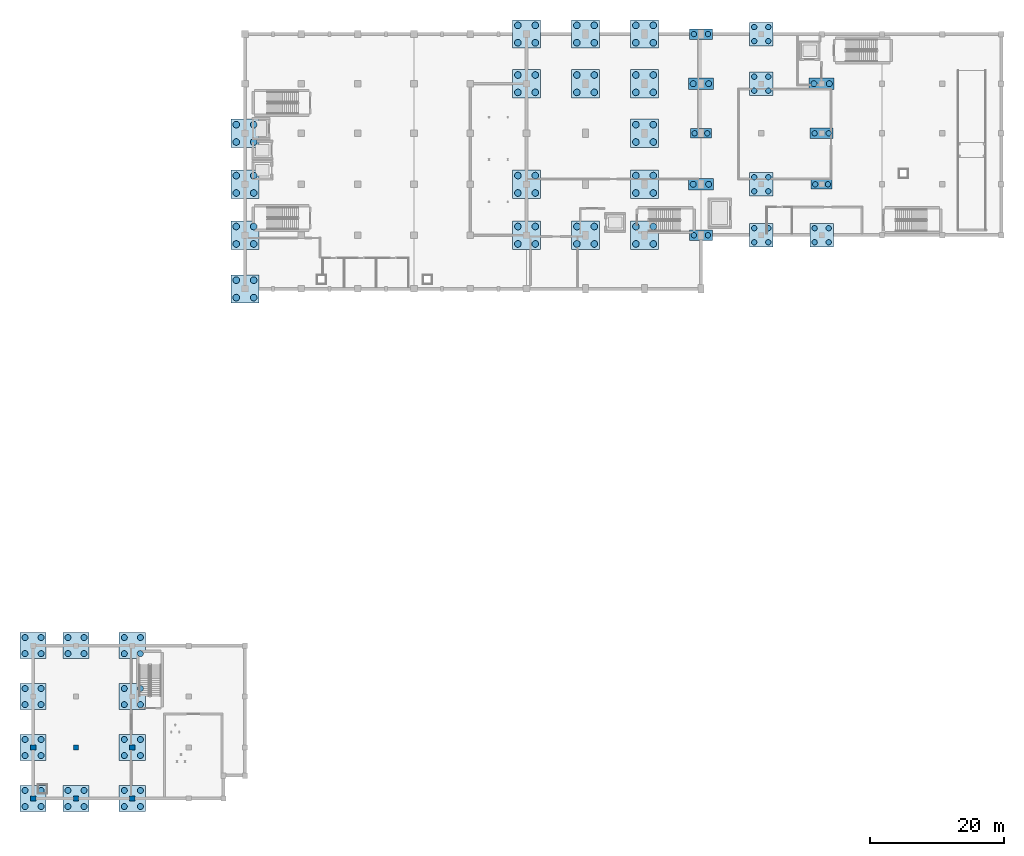
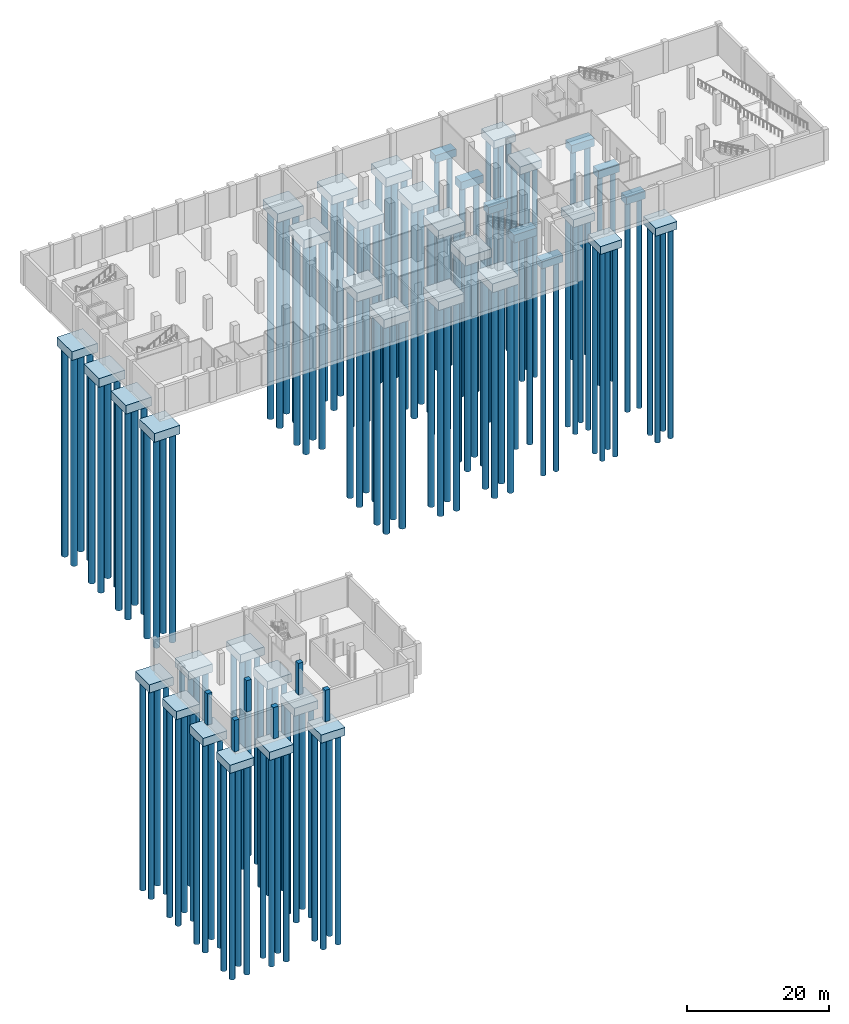
# One storey, part 1 of 20: 140 piles, 39 footings, 6 columns.
"""IFC4 building model written with IfcOpenShell, lengths in metres."""

from ifc_helpers import new_model, si_unit, direction, frame, origin, origin_2d, place, context, subcontext, project, spatial, rectangle, circle, extrude, material, material_profile, profile_set, type_object, element, save


model = new_model("IFC4")

# Units and contexts
model_context = context("Model", 3, precision=1e-05, world=origin(), true_north=direction((0.0, 1.0)))
body_context = subcontext(model_context, "Body", "Model", "MODEL_VIEW")
ifc_project = project(units=[si_unit("LENGTHUNIT", "METRE"), si_unit("AREAUNIT", "SQUARE_METRE"), si_unit("VOLUMEUNIT", "CUBIC_METRE"), si_unit("PLANEANGLEUNIT", "RADIAN"), si_unit("MASSUNIT", "GRAM", prefix="KILO")], contexts=[model_context])

# Site, building, storey
site_placement = place(None, origin())
site = spatial("IfcSite", under=ifc_project, at=site_placement, CompositionType="ELEMENT")
building_placement = place(site_placement, origin())
building = spatial("IfcBuilding", under=site, at=building_placement, Name="Shengluoqiao Park Theatre", CompositionType="ELEMENT")
storey_placement = place(building_placement, frame((0.0, 0.0, -5.39990234375)))
storey = spatial("IfcBuildingStorey", under=building, at=storey_placement, Name="B1", CompositionType="ELEMENT", Elevation=-5.39990234375)

# Footings
ifc_material_1 = material(Name="Concrete C40", Category="concrete")
footing_type_1 = type_object("IfcFootingType", Name="STR-PC2-3100", PredefinedType="PILE_CAP", material=ifc_material_1)
for number, where, z_axis, x_axis, name in (
    (1, (112.39990234375, 99.199951171875, -2.050048828125), (0.0, 0.0, 1.0), (1.0, 0.0, 0.0), "Pile Cap PC2-003"),
    (2, (130.39990234375, 91.60009765625, -2.050048828125), (0.0, 0.0, 1.0), (1.0, 0.0, 0.0), "Pile Cap PC2-006"),
):
    element("IfcFooting", number, at=place(storey_placement, frame(where, z_axis=z_axis, x_axis=x_axis)), inside=storey, type_object=footing_type_1, Name=name, PredefinedType="PILE_CAP", context=body_context, shape_type="SweptSolid", body=[
        extrude(rectangle(XDim=3.10009765625, YDim=1.449951171875, at=origin_2d()), origin(), (0.0, 0.0, 1.0), 1.25),
    ])
footing_type_2 = type_object("IfcFootingType", Name="STR-PC2-3400", PredefinedType="PILE_CAP", material=ifc_material_1)
for number, where, z_axis, x_axis, name in (
    (3, (112.39990234375, 84.0, -2.10009765625), (0.0, 0.0, 1.0), (1.0, 0.0, 0.0), "Pile Cap PC2-001"),
    (4, (112.39990234375, 114.0, -2.10009765625), (0.0, 0.0, 1.0), (1.0, 0.0, 0.0), "Pile Cap PC2-005"),
    (5, (130.39990234375, 99.199951171875, -2.10009765625), (0.0, 0.0, 1.0), (1.0, 0.0, 0.0), "Pile Cap PC2-007"),
):
    element("IfcFooting", number, at=place(storey_placement, frame(where, z_axis=z_axis, x_axis=x_axis)), inside=storey, type_object=footing_type_2, Name=name, PredefinedType="PILE_CAP", context=body_context, shape_type="SweptSolid", body=[
        extrude(rectangle(XDim=3.39990234375, YDim=1.550048828125, at=origin_2d()), origin(), (0.0, 0.0, 1.0), 1.300048828125),
    ])
footing_type_3 = type_object("IfcFootingType", Name="STR-PC2-3700", PredefinedType="PILE_CAP", material=ifc_material_1)
for number, where, z_axis, x_axis, name in (
    (6, (112.39990234375, 91.60009765625, -2.150146484375), (0.0, 0.0, 1.0), (1.0, 0.0, 0.0), "Pile Cap PC2-002"),
    (7, (112.39990234375, 106.60009765625, -2.150146484375), (0.0, 0.0, 1.0), (1.0, 0.0, 0.0), "Pile Cap PC2-004"),
    (8, (130.39990234375, 106.60009765625, -2.150146484375), (0.0, 0.0, 1.0), (1.0, 0.0, 0.0), "Pile Cap PC2-008"),
):
    element("IfcFooting", number, at=place(storey_placement, frame(where, z_axis=z_axis, x_axis=x_axis)), inside=storey, type_object=footing_type_3, Name=name, PredefinedType="PILE_CAP", context=body_context, shape_type="SweptSolid", body=[
        extrude(rectangle(XDim=3.699951171875, YDim=1.699951171875, at=origin_2d()), origin(), (0.0, 0.0, 1.0), 1.35009765625),
    ])
footing_type_4 = type_object("IfcFootingType", Name="STR-PC4-3500", PredefinedType="PILE_CAP", material=ifc_material_1)
for number, where, z_axis, x_axis, name in (
    (9, (121.39990234375, 84.0, -2.150146484375), (0.0, 0.0, 1.0), (1.0, 0.0, 0.0), "Pile Cap PC4-036"),
    (10, (121.39990234375, 91.60009765625, -2.150146484375), (0.0, 0.0, 1.0), (1.0, 0.0, 0.0), "Pile Cap PC4-037"),
    (11, (121.39990234375, 106.60009765625, -2.150146484375), (0.0, 0.0, 1.0), (1.0, 0.0, 0.0), "Pile Cap PC4-038"),
    (12, (121.39990234375, 114.0, -2.150146484375), (0.0, 0.0, 1.0), (1.0, 0.0, 0.0), "Pile Cap PC4-039"),
    (13, (130.39990234375, 84.0, -2.150146484375), (0.0, 0.0, 1.0), (1.0, 0.0, 0.0), "Pile Cap PC4-040"),
):
    element("IfcFooting", number, at=place(storey_placement, frame(where, z_axis=z_axis, x_axis=x_axis)), inside=storey, type_object=footing_type_4, Name=name, PredefinedType="PILE_CAP", context=body_context, shape_type="SweptSolid", body=[
        extrude(rectangle(XDim=3.5, YDim=3.5, at=origin_2d()), origin(), (0.0, 0.0, 1.0), 1.35009765625),
    ])
footing_type_5 = type_object("IfcFootingType", Name="STR-PC4-3900", PredefinedType="PILE_CAP", material=ifc_material_1)
for number, where, z_axis, x_axis, name in (
    (14, (12.800048828125, 0.0, -2.199951171875), (0.0, 0.0, 1.0), (1.0, 0.0, 0.0), "Pile Cap PC4-026"),
    (15, (12.800048828125, 7.60009765625, -2.199951171875), (0.0, 0.0, 1.0), (1.0, 0.0, 0.0), "Pile Cap PC4-027"),
    (16, (12.800048828125, 15.199951171875, -2.199951171875), (0.0, 0.0, 1.0), (1.0, 0.0, 0.0), "Pile Cap PC4-028"),
    (17, (12.800048828125, 22.800048828125, -2.199951171875), (0.0, 0.0, 1.0), (1.0, 0.0, 0.0), "Pile Cap PC4-029"),
    (18, (19.199951171875, 0.0, -2.199951171875), (0.0, 0.0, 1.0), (1.0, 0.0, 0.0), "Pile Cap PC4-030"),
    (19, (19.199951171875, 22.800048828125, -2.199951171875), (0.0, 0.0, 1.0), (1.0, 0.0, 0.0), "Pile Cap PC4-031"),
    (20, (27.60009765625, 0.0, -2.199951171875), (0.0, 0.0, 1.0), (1.0, 0.0, 0.0), "Pile Cap PC4-032"),
    (21, (27.60009765625, 7.60009765625, -2.199951171875), (0.0, 0.0, 1.0), (1.0, 0.0, 0.0), "Pile Cap PC4-033"),
    (22, (27.60009765625, 15.199951171875, -2.199951171875), (0.0, 0.0, 1.0), (1.0, 0.0, 0.0), "Pile Cap PC4-034"),
    (23, (27.60009765625, 22.800048828125, -2.199951171875), (0.0, 0.0, 1.0), (1.0, 0.0, 0.0), "Pile Cap PC4-035"),
):
    element("IfcFooting", number, at=place(storey_placement, frame(where, z_axis=z_axis, x_axis=x_axis)), inside=storey, type_object=footing_type_5, Name=name, PredefinedType="PILE_CAP", context=body_context, shape_type="SweptSolid", body=[
        extrude(rectangle(XDim=3.89990234375, YDim=3.89990234375, at=origin_2d()), origin(), (0.0, 0.0, 1.0), 1.39990234375),
    ])
footing_type_6 = type_object("IfcFootingType", Name="STR-PC4-4200", PredefinedType="PILE_CAP", material=ifc_material_1)
for number, where, z_axis, x_axis, name in (
    (24, (86.39990234375, 84.0, -2.300048828125), (0.0, 0.0, 1.0), (1.0, 0.0, 0.0), "Pile Cap PC4-001"),
    (25, (86.39990234375, 91.60009765625, -2.300048828125), (0.0, 0.0, 1.0), (1.0, 0.0, 0.0), "Pile Cap PC4-002"),
    (26, (86.39990234375, 106.60009765625, -2.300048828125), (0.0, 0.0, 1.0), (1.0, 0.0, 0.0), "Pile Cap PC4-003"),
    (27, (86.39990234375, 114.0, -2.300048828125), (0.0, 0.0, 1.0), (1.0, 0.0, 0.0), "Pile Cap PC4-004"),
    (28, (44.39990234375, 76.0, -2.300048828125), (0.0, 0.0, 1.0), (1.0, 0.0, 0.0), "Pile Cap PC4-005"),
    (29, (44.39990234375, 84.0, -2.300048828125), (0.0, 0.0, 1.0), (1.0, 0.0, 0.0), "Pile Cap PC4-006"),
    (30, (44.39990234375, 91.60009765625, -2.300048828125), (0.0, 0.0, 1.0), (1.0, 0.0, 0.0), "Pile Cap PC4-007"),
    (31, (44.39990234375, 99.199951171875, -2.300048828125), (0.0, 0.0, 1.0), (1.0, 0.0, 0.0), "Pile Cap PC4-008"),
    (32, (95.199951171875, 84.0, -2.300048828125), (0.0, 0.0, 1.0), (1.0, 0.0, 0.0), "Pile Cap PC4-009"),
    (33, (95.199951171875, 106.60009765625, -2.300048828125), (0.0, 0.0, 1.0), (1.0, 0.0, 0.0), "Pile Cap PC4-010"),
    (34, (95.199951171875, 114.0, -2.300048828125), (0.0, 0.0, 1.0), (1.0, 0.0, 0.0), "Pile Cap PC4-011"),
    (35, (104.0, 84.0, -2.300048828125), (0.0, 0.0, 1.0), (1.0, 0.0, 0.0), "Pile Cap PC4-012"),
    (36, (104.0, 91.60009765625, -2.300048828125), (0.0, 0.0, 1.0), (1.0, 0.0, 0.0), "Pile Cap PC4-013"),
    (37, (104.0, 99.199951171875, -2.300048828125), (0.0, 0.0, 1.0), (1.0, 0.0, 0.0), "Pile Cap PC4-014"),
    (38, (104.0, 106.60009765625, -2.300048828125), (0.0, 0.0, 1.0), (1.0, 0.0, 0.0), "Pile Cap PC4-015"),
    (39, (104.0, 114.0, -2.300048828125), (0.0, 0.0, 1.0), (1.0, 0.0, 0.0), "Pile Cap PC4-016"),
):
    element("IfcFooting", number, at=place(storey_placement, frame(where, z_axis=z_axis, x_axis=x_axis)), inside=storey, type_object=footing_type_6, Name=name, PredefinedType="PILE_CAP", context=body_context, shape_type="SweptSolid", body=[
        extrude(rectangle(XDim=4.199951171875, YDim=4.199951171875, at=origin_2d()), origin(), (0.0, 0.0, 1.0), 1.5),
    ])

# Piles
ifc_material_profile_1 = material_profile(ifc_material_1, circle(Radius=0.5, at=origin_2d()), Name="BORED PILE D1000")
ifc_profile_set_1 = profile_set([ifc_material_profile_1], Name="Concrete C40")
pile_type_1 = type_object("IfcPileType", Name="STR-PILE-D1000", PredefinedType="BORED", material=ifc_profile_set_1)
for number, where, z_axis, x_axis, name in (
    (40, (85.10009765625, 82.699951171875, -2.2001953125), (0.0, 0.0, -1.0), (1.0, 0.0, 0.0), "Bored Pile P-001"),
    (41, (87.699951171875, 82.699951171875, -2.2001953125), (0.0, 0.0, -1.0), (1.0, 0.0, 0.0), "Bored Pile P-002"),
    (42, (87.699951171875, 85.300048828125, -2.2001953125), (0.0, 0.0, -1.0), (1.0, 0.0, 0.0), "Bored Pile P-003"),
    (43, (85.10009765625, 85.300048828125, -2.2001953125), (0.0, 0.0, -1.0), (1.0, 0.0, 0.0), "Bored Pile P-004"),
    (44, (85.10009765625, 90.300048828125, -2.2001953125), (0.0, 0.0, -1.0), (1.0, 0.0, 0.0), "Bored Pile P-005"),
    (45, (87.699951171875, 90.300048828125, -2.2001953125), (0.0, 0.0, -1.0), (1.0, 0.0, 0.0), "Bored Pile P-006"),
    (46, (87.699951171875, 92.89990234375, -2.2001953125), (0.0, 0.0, -1.0), (1.0, 0.0, 0.0), "Bored Pile P-007"),
    (47, (85.10009765625, 92.89990234375, -2.2001953125), (0.0, 0.0, -1.0), (1.0, 0.0, 0.0), "Bored Pile P-008"),
    (48, (85.10009765625, 105.300048828125, -2.2001953125), (0.0, 0.0, -1.0), (1.0, 0.0, 0.0), "Bored Pile P-009"),
    (49, (87.699951171875, 105.300048828125, -2.2001953125), (0.0, 0.0, -1.0), (1.0, 0.0, 0.0), "Bored Pile P-010"),
    (50, (87.699951171875, 107.89990234375, -2.2001953125), (0.0, 0.0, -1.0), (1.0, 0.0, 0.0), "Bored Pile P-011"),
    (51, (85.10009765625, 107.89990234375, -2.2001953125), (0.0, 0.0, -1.0), (1.0, 0.0, 0.0), "Bored Pile P-012"),
    (52, (85.10009765625, 112.699951171875, -2.2001953125), (0.0, 0.0, -1.0), (1.0, 0.0, 0.0), "Bored Pile P-013"),
    (53, (87.699951171875, 112.699951171875, -2.2001953125), (0.0, 0.0, -1.0), (1.0, 0.0, 0.0), "Bored Pile P-014"),
    (54, (87.699951171875, 115.300048828125, -2.2001953125), (0.0, 0.0, -1.0), (1.0, 0.0, 0.0), "Bored Pile P-015"),
    (55, (85.10009765625, 115.300048828125, -2.2001953125), (0.0, 0.0, -1.0), (1.0, 0.0, 0.0), "Bored Pile P-016"),
    (56, (43.10009765625, 74.699951171875, -2.2001953125), (0.0, 0.0, -1.0), (1.0, 0.0, 0.0), "Bored Pile P-017"),
    (57, (45.699951171875, 74.699951171875, -2.2001953125), (0.0, 0.0, -1.0), (1.0, 0.0, 0.0), "Bored Pile P-018"),
    (58, (45.699951171875, 77.300048828125, -2.2001953125), (0.0, 0.0, -1.0), (1.0, 0.0, 0.0), "Bored Pile P-019"),
    (59, (43.10009765625, 77.300048828125, -2.2001953125), (0.0, 0.0, -1.0), (1.0, 0.0, 0.0), "Bored Pile P-020"),
    (60, (43.10009765625, 82.699951171875, -2.2001953125), (0.0, 0.0, -1.0), (1.0, 0.0, 0.0), "Bored Pile P-021"),
    (61, (45.699951171875, 82.699951171875, -2.2001953125), (0.0, 0.0, -1.0), (1.0, 0.0, 0.0), "Bored Pile P-022"),
    (62, (45.699951171875, 85.300048828125, -2.2001953125), (0.0, 0.0, -1.0), (1.0, 0.0, 0.0), "Bored Pile P-023"),
    (63, (43.10009765625, 85.300048828125, -2.2001953125), (0.0, 0.0, -1.0), (1.0, 0.0, 0.0), "Bored Pile P-024"),
    (64, (43.10009765625, 90.300048828125, -2.2001953125), (0.0, 0.0, -1.0), (1.0, 0.0, 0.0), "Bored Pile P-025"),
    (65, (45.699951171875, 90.300048828125, -2.2001953125), (0.0, 0.0, -1.0), (1.0, 0.0, 0.0), "Bored Pile P-026"),
    (66, (45.699951171875, 92.89990234375, -2.2001953125), (0.0, 0.0, -1.0), (1.0, 0.0, 0.0), "Bored Pile P-027"),
    (67, (43.10009765625, 92.89990234375, -2.2001953125), (0.0, 0.0, -1.0), (1.0, 0.0, 0.0), "Bored Pile P-028"),
    (68, (43.10009765625, 97.89990234375, -2.2001953125), (0.0, 0.0, -1.0), (1.0, 0.0, 0.0), "Bored Pile P-029"),
    (69, (45.699951171875, 97.89990234375, -2.2001953125), (0.0, 0.0, -1.0), (1.0, 0.0, 0.0), "Bored Pile P-030"),
    (70, (45.699951171875, 100.5, -2.2001953125), (0.0, 0.0, -1.0), (1.0, 0.0, 0.0), "Bored Pile P-031"),
    (71, (43.10009765625, 100.5, -2.2001953125), (0.0, 0.0, -1.0), (1.0, 0.0, 0.0), "Bored Pile P-032"),
    (72, (93.89990234375, 82.699951171875, -2.2001953125), (0.0, 0.0, -1.0), (1.0, 0.0, 0.0), "Bored Pile P-033"),
    (73, (96.5, 82.699951171875, -2.2001953125), (0.0, 0.0, -1.0), (1.0, 0.0, 0.0), "Bored Pile P-034"),
    (74, (96.5, 85.300048828125, -2.2001953125), (0.0, 0.0, -1.0), (1.0, 0.0, 0.0), "Bored Pile P-035"),
    (75, (93.89990234375, 85.300048828125, -2.2001953125), (0.0, 0.0, -1.0), (1.0, 0.0, 0.0), "Bored Pile P-036"),
    (76, (93.89990234375, 105.300048828125, -2.2001953125), (0.0, 0.0, -1.0), (1.0, 0.0, 0.0), "Bored Pile P-037"),
    (77, (96.5, 105.300048828125, -2.2001953125), (0.0, 0.0, -1.0), (1.0, 0.0, 0.0), "Bored Pile P-038"),
    (78, (96.5, 107.89990234375, -2.2001953125), (0.0, 0.0, -1.0), (1.0, 0.0, 0.0), "Bored Pile P-039"),
    (79, (93.89990234375, 107.89990234375, -2.2001953125), (0.0, 0.0, -1.0), (1.0, 0.0, 0.0), "Bored Pile P-040"),
    (80, (93.89990234375, 112.699951171875, -2.2001953125), (0.0, 0.0, -1.0), (1.0, 0.0, 0.0), "Bored Pile P-041"),
    (81, (96.5, 112.699951171875, -2.2001953125), (0.0, 0.0, -1.0), (1.0, 0.0, 0.0), "Bored Pile P-042"),
    (82, (96.5, 115.300048828125, -2.2001953125), (0.0, 0.0, -1.0), (1.0, 0.0, 0.0), "Bored Pile P-043"),
    (83, (93.89990234375, 115.300048828125, -2.2001953125), (0.0, 0.0, -1.0), (1.0, 0.0, 0.0), "Bored Pile P-044"),
    (84, (102.699951171875, 82.699951171875, -2.2001953125), (0.0, 0.0, -1.0), (1.0, 0.0, 0.0), "Bored Pile P-045"),
    (85, (105.300048828125, 82.699951171875, -2.2001953125), (0.0, 0.0, -1.0), (1.0, 0.0, 0.0), "Bored Pile P-046"),
    (86, (105.300048828125, 85.300048828125, -2.2001953125), (0.0, 0.0, -1.0), (1.0, 0.0, 0.0), "Bored Pile P-047"),
    (87, (102.699951171875, 85.300048828125, -2.2001953125), (0.0, 0.0, -1.0), (1.0, 0.0, 0.0), "Bored Pile P-048"),
    (88, (102.699951171875, 90.300048828125, -2.2001953125), (0.0, 0.0, -1.0), (1.0, 0.0, 0.0), "Bored Pile P-049"),
    (89, (105.300048828125, 90.300048828125, -2.2001953125), (0.0, 0.0, -1.0), (1.0, 0.0, 0.0), "Bored Pile P-050"),
    (90, (105.300048828125, 92.89990234375, -2.2001953125), (0.0, 0.0, -1.0), (1.0, 0.0, 0.0), "Bored Pile P-051"),
    (91, (102.699951171875, 92.89990234375, -2.2001953125), (0.0, 0.0, -1.0), (1.0, 0.0, 0.0), "Bored Pile P-052"),
    (92, (102.699951171875, 97.89990234375, -2.2001953125), (0.0, 0.0, -1.0), (1.0, 0.0, 0.0), "Bored Pile P-053"),
    (93, (105.300048828125, 97.89990234375, -2.2001953125), (0.0, 0.0, -1.0), (1.0, 0.0, 0.0), "Bored Pile P-054"),
    (94, (105.300048828125, 100.5, -2.2001953125), (0.0, 0.0, -1.0), (1.0, 0.0, 0.0), "Bored Pile P-055"),
    (95, (102.699951171875, 100.5, -2.2001953125), (0.0, 0.0, -1.0), (1.0, 0.0, 0.0), "Bored Pile P-056"),
    (96, (102.699951171875, 105.300048828125, -2.2001953125), (0.0, 0.0, -1.0), (1.0, 0.0, 0.0), "Bored Pile P-057"),
    (97, (105.300048828125, 105.300048828125, -2.2001953125), (0.0, 0.0, -1.0), (1.0, 0.0, 0.0), "Bored Pile P-058"),
    (98, (105.300048828125, 107.89990234375, -2.2001953125), (0.0, 0.0, -1.0), (1.0, 0.0, 0.0), "Bored Pile P-059"),
    (99, (102.699951171875, 107.89990234375, -2.2001953125), (0.0, 0.0, -1.0), (1.0, 0.0, 0.0), "Bored Pile P-060"),
    (100, (102.699951171875, 112.699951171875, -2.2001953125), (0.0, 0.0, -1.0), (1.0, 0.0, 0.0), "Bored Pile P-061"),
    (101, (105.300048828125, 112.699951171875, -2.2001953125), (0.0, 0.0, -1.0), (1.0, 0.0, 0.0), "Bored Pile P-062"),
    (102, (105.300048828125, 115.300048828125, -2.2001953125), (0.0, 0.0, -1.0), (1.0, 0.0, 0.0), "Bored Pile P-063"),
    (103, (102.699951171875, 115.300048828125, -2.2001953125), (0.0, 0.0, -1.0), (1.0, 0.0, 0.0), "Bored Pile P-064"),
):
    element("IfcPile", number, at=place(storey_placement, frame(where, z_axis=z_axis, x_axis=x_axis)), inside=storey, type_object=pile_type_1, Name=name, PredefinedType="BORED", context=body_context, shape_type="SweptSolid", body=[
        extrude(circle(Radius=0.5, at=origin_2d()), origin(), (0.0, 0.0, 1.0), 35.89990234375),
    ])
ifc_material_profile_2 = material_profile(ifc_material_1, circle(Radius=0.39990234375, at=origin_2d()), Name="BORED PILE D800")
ifc_profile_set_2 = profile_set([ifc_material_profile_2], Name="Concrete C40")
pile_type_2 = type_object("IfcPileType", Name="STR-PILE-D800", PredefinedType="BORED", material=ifc_profile_set_2)
for number, where, z_axis, x_axis, name in (
    (104, (120.35009765625, 82.949951171875, -2.050048828125), (0.0, 0.0, -1.0), (1.0, 0.0, 0.0), "Bored Pile P-141"),
    (105, (122.449951171875, 82.949951171875, -2.050048828125), (0.0, 0.0, -1.0), (1.0, 0.0, 0.0), "Bored Pile P-142"),
    (106, (122.449951171875, 85.050048828125, -2.050048828125), (0.0, 0.0, -1.0), (1.0, 0.0, 0.0), "Bored Pile P-143"),
    (107, (120.35009765625, 85.050048828125, -2.050048828125), (0.0, 0.0, -1.0), (1.0, 0.0, 0.0), "Bored Pile P-144"),
    (108, (120.35009765625, 90.550048828125, -2.050048828125), (0.0, 0.0, -1.0), (1.0, 0.0, 0.0), "Bored Pile P-145"),
    (109, (122.449951171875, 90.550048828125, -2.050048828125), (0.0, 0.0, -1.0), (1.0, 0.0, 0.0), "Bored Pile P-146"),
    (110, (122.449951171875, 92.64990234375, -2.050048828125), (0.0, 0.0, -1.0), (1.0, 0.0, 0.0), "Bored Pile P-147"),
    (111, (120.35009765625, 92.64990234375, -2.050048828125), (0.0, 0.0, -1.0), (1.0, 0.0, 0.0), "Bored Pile P-148"),
    (112, (120.35009765625, 105.550048828125, -2.050048828125), (0.0, 0.0, -1.0), (1.0, 0.0, 0.0), "Bored Pile P-149"),
    (113, (122.449951171875, 105.550048828125, -2.050048828125), (0.0, 0.0, -1.0), (1.0, 0.0, 0.0), "Bored Pile P-150"),
    (114, (122.449951171875, 107.64990234375, -2.050048828125), (0.0, 0.0, -1.0), (1.0, 0.0, 0.0), "Bored Pile P-151"),
    (115, (120.35009765625, 107.64990234375, -2.050048828125), (0.0, 0.0, -1.0), (1.0, 0.0, 0.0), "Bored Pile P-152"),
    (116, (120.35009765625, 112.949951171875, -2.050048828125), (0.0, 0.0, -1.0), (1.0, 0.0, 0.0), "Bored Pile P-153"),
    (117, (122.449951171875, 112.949951171875, -2.050048828125), (0.0, 0.0, -1.0), (1.0, 0.0, 0.0), "Bored Pile P-154"),
    (118, (122.449951171875, 115.050048828125, -2.050048828125), (0.0, 0.0, -1.0), (1.0, 0.0, 0.0), "Bored Pile P-155"),
    (119, (120.35009765625, 115.050048828125, -2.050048828125), (0.0, 0.0, -1.0), (1.0, 0.0, 0.0), "Bored Pile P-156"),
    (120, (129.35009765625, 82.949951171875, -2.050048828125), (0.0, 0.0, -1.0), (1.0, 0.0, 0.0), "Bored Pile P-157"),
    (121, (131.449951171875, 82.949951171875, -2.050048828125), (0.0, 0.0, -1.0), (1.0, 0.0, 0.0), "Bored Pile P-158"),
    (122, (131.449951171875, 85.050048828125, -2.050048828125), (0.0, 0.0, -1.0), (1.0, 0.0, 0.0), "Bored Pile P-159"),
    (123, (129.35009765625, 85.050048828125, -2.050048828125), (0.0, 0.0, -1.0), (1.0, 0.0, 0.0), "Bored Pile P-160"),
):
    element("IfcPile", number, at=place(storey_placement, frame(where, z_axis=z_axis, x_axis=x_axis)), inside=storey, type_object=pile_type_2, Name=name, PredefinedType="BORED", context=body_context, shape_type="SweptSolid", body=[
        extrude(circle(Radius=0.39990234375, at=origin_2d()), origin(), (0.0, 0.0, 1.0), 36.050048828125),
    ])
for number, where, z_axis, x_axis, name in (
    (124, (111.35009765625, 84.0, -2.0), (0.0, 0.0, -1.0), (1.0, 0.0, 0.0), "Bored Pile P-161"),
    (125, (113.449951171875, 84.0, -2.0), (0.0, 0.0, -1.0), (1.0, 0.0, 0.0), "Bored Pile P-162"),
):
    element("IfcPile", number, at=place(storey_placement, frame(where, z_axis=z_axis, x_axis=x_axis)), inside=storey, type_object=pile_type_2, Name=name, PredefinedType="BORED", context=body_context, shape_type="SweptSolid", body=[
        extrude(circle(Radius=0.39990234375, at=origin_2d()), origin(), (0.0, 0.0, 1.0), 36.10009765625),
    ])
for number, where, z_axis, x_axis, name in (
    (126, (111.449951171875, 99.199951171875, -1.9501953125), (0.0, 0.0, -1.0), (1.0, 0.0, 0.0), "Bored Pile P-165"),
    (127, (113.35009765625, 99.199951171875, -1.9501953125), (0.0, 0.0, -1.0), (1.0, 0.0, 0.0), "Bored Pile P-166"),
):
    element("IfcPile", number, at=place(storey_placement, frame(where, z_axis=z_axis, x_axis=x_axis)), inside=storey, type_object=pile_type_2, Name=name, PredefinedType="BORED", context=body_context, shape_type="SweptSolid", body=[
        extrude(circle(Radius=0.39990234375, at=origin_2d()), origin(), (0.0, 0.0, 1.0), 36.14990234375),
    ])
for number, where, z_axis, x_axis, name in (
    (128, (111.35009765625, 114.0, -2.0), (0.0, 0.0, -1.0), (1.0, 0.0, 0.0), "Bored Pile P-169"),
    (129, (113.449951171875, 114.0, -2.0), (0.0, 0.0, -1.0), (1.0, 0.0, 0.0), "Bored Pile P-170"),
):
    element("IfcPile", number, at=place(storey_placement, frame(where, z_axis=z_axis, x_axis=x_axis)), inside=storey, type_object=pile_type_2, Name=name, PredefinedType="BORED", context=body_context, shape_type="SweptSolid", body=[
        extrude(circle(Radius=0.39990234375, at=origin_2d()), origin(), (0.0, 0.0, 1.0), 36.10009765625),
    ])
for number, where, z_axis, x_axis, name in (
    (130, (129.449951171875, 91.60009765625, -1.9501953125), (0.0, 0.0, -1.0), (1.0, 0.0, 0.0), "Bored Pile P-171"),
    (131, (131.35009765625, 91.60009765625, -1.9501953125), (0.0, 0.0, -1.0), (1.0, 0.0, 0.0), "Bored Pile P-172"),
):
    element("IfcPile", number, at=place(storey_placement, frame(where, z_axis=z_axis, x_axis=x_axis)), inside=storey, type_object=pile_type_2, Name=name, PredefinedType="BORED", context=body_context, shape_type="SweptSolid", body=[
        extrude(circle(Radius=0.39990234375, at=origin_2d()), origin(), (0.0, 0.0, 1.0), 36.14990234375),
    ])
for number, where, z_axis, x_axis, name in (
    (132, (129.35009765625, 99.199951171875, -2.0), (0.0, 0.0, -1.0), (1.0, 0.0, 0.0), "Bored Pile P-173"),
    (133, (131.449951171875, 99.199951171875, -2.0), (0.0, 0.0, -1.0), (1.0, 0.0, 0.0), "Bored Pile P-174"),
):
    element("IfcPile", number, at=place(storey_placement, frame(where, z_axis=z_axis, x_axis=x_axis)), inside=storey, type_object=pile_type_2, Name=name, PredefinedType="BORED", context=body_context, shape_type="SweptSolid", body=[
        extrude(circle(Radius=0.39990234375, at=origin_2d()), origin(), (0.0, 0.0, 1.0), 36.10009765625),
    ])
ifc_material_profile_3 = material_profile(ifc_material_1, circle(Radius=0.449951171875, at=origin_2d()), Name="BORED PILE D900")
ifc_profile_set_3 = profile_set([ifc_material_profile_3], Name="Concrete C40")
pile_type_3 = type_object("IfcPileType", Name="STR-PILE-D900", PredefinedType="BORED", material=ifc_profile_set_3)
for number, where, z_axis, x_axis, name in (
    (134, (11.60009765625, -1.199951171875, -2.10009765625), (0.0, 0.0, -1.0), (1.0, 0.0, 0.0), "Bored Pile P-101"),
    (135, (14.0, -1.199951171875, -2.10009765625), (0.0, 0.0, -1.0), (1.0, 0.0, 0.0), "Bored Pile P-102"),
    (136, (14.0, 1.199951171875, -2.10009765625), (0.0, 0.0, -1.0), (1.0, 0.0, 0.0), "Bored Pile P-103"),
    (137, (11.60009765625, 1.199951171875, -2.10009765625), (0.0, 0.0, -1.0), (1.0, 0.0, 0.0), "Bored Pile P-104"),
    (138, (11.60009765625, 6.39990234375, -2.10009765625), (0.0, 0.0, -1.0), (1.0, 0.0, 0.0), "Bored Pile P-105"),
    (139, (14.0, 6.39990234375, -2.10009765625), (0.0, 0.0, -1.0), (1.0, 0.0, 0.0), "Bored Pile P-106"),
    (140, (14.0, 8.800048828125, -2.10009765625), (0.0, 0.0, -1.0), (1.0, 0.0, 0.0), "Bored Pile P-107"),
    (141, (11.60009765625, 8.800048828125, -2.10009765625), (0.0, 0.0, -1.0), (1.0, 0.0, 0.0), "Bored Pile P-108"),
    (142, (11.60009765625, 14.0, -2.10009765625), (0.0, 0.0, -1.0), (1.0, 0.0, 0.0), "Bored Pile P-109"),
    (143, (14.0, 14.0, -2.10009765625), (0.0, 0.0, -1.0), (1.0, 0.0, 0.0), "Bored Pile P-110"),
    (144, (14.0, 16.39990234375, -2.10009765625), (0.0, 0.0, -1.0), (1.0, 0.0, 0.0), "Bored Pile P-111"),
    (145, (11.60009765625, 16.39990234375, -2.10009765625), (0.0, 0.0, -1.0), (1.0, 0.0, 0.0), "Bored Pile P-112"),
    (146, (11.60009765625, 21.60009765625, -2.10009765625), (0.0, 0.0, -1.0), (1.0, 0.0, 0.0), "Bored Pile P-113"),
    (147, (14.0, 21.60009765625, -2.10009765625), (0.0, 0.0, -1.0), (1.0, 0.0, 0.0), "Bored Pile P-114"),
    (148, (14.0, 24.0, -2.10009765625), (0.0, 0.0, -1.0), (1.0, 0.0, 0.0), "Bored Pile P-115"),
    (149, (11.60009765625, 24.0, -2.10009765625), (0.0, 0.0, -1.0), (1.0, 0.0, 0.0), "Bored Pile P-116"),
    (150, (18.0, -1.199951171875, -2.10009765625), (0.0, 0.0, -1.0), (1.0, 0.0, 0.0), "Bored Pile P-117"),
    (151, (20.39990234375, -1.199951171875, -2.10009765625), (0.0, 0.0, -1.0), (1.0, 0.0, 0.0), "Bored Pile P-118"),
    (152, (20.39990234375, 1.199951171875, -2.10009765625), (0.0, 0.0, -1.0), (1.0, 0.0, 0.0), "Bored Pile P-119"),
    (153, (18.0, 1.199951171875, -2.10009765625), (0.0, 0.0, -1.0), (1.0, 0.0, 0.0), "Bored Pile P-120"),
    (154, (18.0, 21.60009765625, -2.10009765625), (0.0, 0.0, -1.0), (1.0, 0.0, 0.0), "Bored Pile P-121"),
    (155, (20.39990234375, 21.60009765625, -2.10009765625), (0.0, 0.0, -1.0), (1.0, 0.0, 0.0), "Bored Pile P-122"),
    (156, (20.39990234375, 24.0, -2.10009765625), (0.0, 0.0, -1.0), (1.0, 0.0, 0.0), "Bored Pile P-123"),
    (157, (18.0, 24.0, -2.10009765625), (0.0, 0.0, -1.0), (1.0, 0.0, 0.0), "Bored Pile P-124"),
    (158, (26.39990234375, -1.199951171875, -2.10009765625), (0.0, 0.0, -1.0), (1.0, 0.0, 0.0), "Bored Pile P-125"),
    (159, (28.800048828125, -1.199951171875, -2.10009765625), (0.0, 0.0, -1.0), (1.0, 0.0, 0.0), "Bored Pile P-126"),
    (160, (28.800048828125, 1.199951171875, -2.10009765625), (0.0, 0.0, -1.0), (1.0, 0.0, 0.0), "Bored Pile P-127"),
    (161, (26.39990234375, 1.199951171875, -2.10009765625), (0.0, 0.0, -1.0), (1.0, 0.0, 0.0), "Bored Pile P-128"),
    (162, (26.39990234375, 6.39990234375, -2.10009765625), (0.0, 0.0, -1.0), (1.0, 0.0, 0.0), "Bored Pile P-129"),
    (163, (28.800048828125, 6.39990234375, -2.10009765625), (0.0, 0.0, -1.0), (1.0, 0.0, 0.0), "Bored Pile P-130"),
    (164, (28.800048828125, 8.800048828125, -2.10009765625), (0.0, 0.0, -1.0), (1.0, 0.0, 0.0), "Bored Pile P-131"),
    (165, (26.39990234375, 8.800048828125, -2.10009765625), (0.0, 0.0, -1.0), (1.0, 0.0, 0.0), "Bored Pile P-132"),
    (166, (26.39990234375, 14.0, -2.10009765625), (0.0, 0.0, -1.0), (1.0, 0.0, 0.0), "Bored Pile P-133"),
    (167, (28.800048828125, 14.0, -2.10009765625), (0.0, 0.0, -1.0), (1.0, 0.0, 0.0), "Bored Pile P-134"),
    (168, (28.800048828125, 16.39990234375, -2.10009765625), (0.0, 0.0, -1.0), (1.0, 0.0, 0.0), "Bored Pile P-135"),
    (169, (26.39990234375, 16.39990234375, -2.10009765625), (0.0, 0.0, -1.0), (1.0, 0.0, 0.0), "Bored Pile P-136"),
    (170, (26.39990234375, 21.60009765625, -2.10009765625), (0.0, 0.0, -1.0), (1.0, 0.0, 0.0), "Bored Pile P-137"),
    (171, (28.800048828125, 21.60009765625, -2.10009765625), (0.0, 0.0, -1.0), (1.0, 0.0, 0.0), "Bored Pile P-138"),
    (172, (28.800048828125, 24.0, -2.10009765625), (0.0, 0.0, -1.0), (1.0, 0.0, 0.0), "Bored Pile P-139"),
    (173, (26.39990234375, 24.0, -2.10009765625), (0.0, 0.0, -1.0), (1.0, 0.0, 0.0), "Bored Pile P-140"),
):
    element("IfcPile", number, at=place(storey_placement, frame(where, z_axis=z_axis, x_axis=x_axis)), inside=storey, type_object=pile_type_3, Name=name, PredefinedType="BORED", context=body_context, shape_type="SweptSolid", body=[
        extrude(circle(Radius=0.449951171875, at=origin_2d()), origin(), (0.0, 0.0, 1.0), 36.0),
    ])
for number, where, z_axis, x_axis, name in (
    (174, (111.25, 91.60009765625, -2.050048828125), (0.0, 0.0, -1.0), (1.0, 0.0, 0.0), "Bored Pile P-163"),
    (175, (113.550048828125, 91.60009765625, -2.050048828125), (0.0, 0.0, -1.0), (1.0, 0.0, 0.0), "Bored Pile P-164"),
    (176, (111.25, 106.60009765625, -2.050048828125), (0.0, 0.0, -1.0), (1.0, 0.0, 0.0), "Bored Pile P-167"),
    (177, (113.550048828125, 106.60009765625, -2.050048828125), (0.0, 0.0, -1.0), (1.0, 0.0, 0.0), "Bored Pile P-168"),
    (178, (129.25, 106.60009765625, -2.050048828125), (0.0, 0.0, -1.0), (1.0, 0.0, 0.0), "Bored Pile P-175"),
    (179, (131.550048828125, 106.60009765625, -2.050048828125), (0.0, 0.0, -1.0), (1.0, 0.0, 0.0), "Bored Pile P-176"),
):
    element("IfcPile", number, at=place(storey_placement, frame(where, z_axis=z_axis, x_axis=x_axis)), inside=storey, type_object=pile_type_3, Name=name, PredefinedType="BORED", context=body_context, shape_type="SweptSolid", body=[
        extrude(circle(Radius=0.449951171875, at=origin_2d()), origin(), (0.0, 0.0, 1.0), 36.050048828125),
    ])

# Columns
ifc_material_2 = material(Name="Concrete C50", Category="concrete")
ifc_material_profile_4 = material_profile(ifc_material_2, rectangle(XDim=0.800048828125, YDim=0.800048828125, at=origin_2d()), Name="RC 800x800")
ifc_profile_set_4 = profile_set([ifc_material_profile_4], Name="Concrete C50")
column_type = type_object("IfcColumnType", Name="STR-COL-C-RC800", PredefinedType="COLUMN", material=ifc_profile_set_4)
for number, where, z_axis, x_axis, name in (
    (180, (12.800048828125, 0.0, 0.0), (0.0, 0.0, 1.0), (1.0, 0.0, 0.0), "B1 Column 0029"),
    (181, (12.800048828125, 7.60009765625, 0.0), (0.0, 0.0, 1.0), (1.0, 0.0, 0.0), "B1 Column 0033"),
    (182, (19.199951171875, 0.0, 0.0), (0.0, 0.0, 1.0), (1.0, 0.0, 0.0), "B1 Column 0067"),
    (183, (19.199951171875, 7.60009765625, 0.0), (0.0, 0.0, 1.0), (1.0, 0.0, 0.0), "B1 Column 0071"),
    (184, (27.60009765625, 0.0, 0.0), (0.0, 0.0, 1.0), (1.0, 0.0, 0.0), "B1 Column 0099"),
    (185, (27.60009765625, 7.60009765625, 0.0), (0.0, 0.0, 1.0), (1.0, 0.0, 0.0), "B1 Column 0103"),
):
    element("IfcColumn", number, at=place(storey_placement, frame(where, z_axis=z_axis, x_axis=x_axis)), inside=storey, type_object=column_type, Name=name, PredefinedType="COLUMN", context=body_context, shape_type="SweptSolid", body=[
        extrude(rectangle(XDim=0.800048828125, YDim=0.800048828125, at=origin_2d()), origin(), (0.0, 0.0, 1.0), 5.39990234375),
    ])

save(model, "model.ifc")
